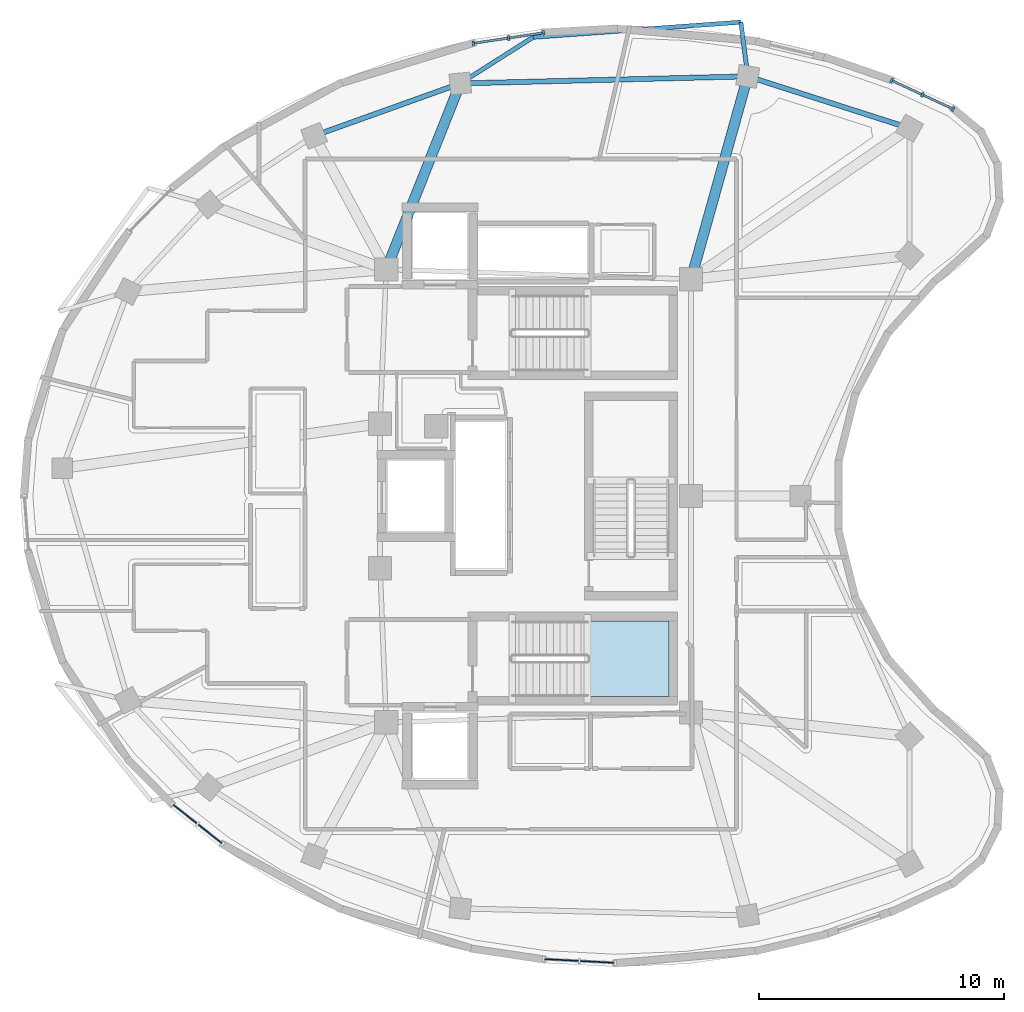
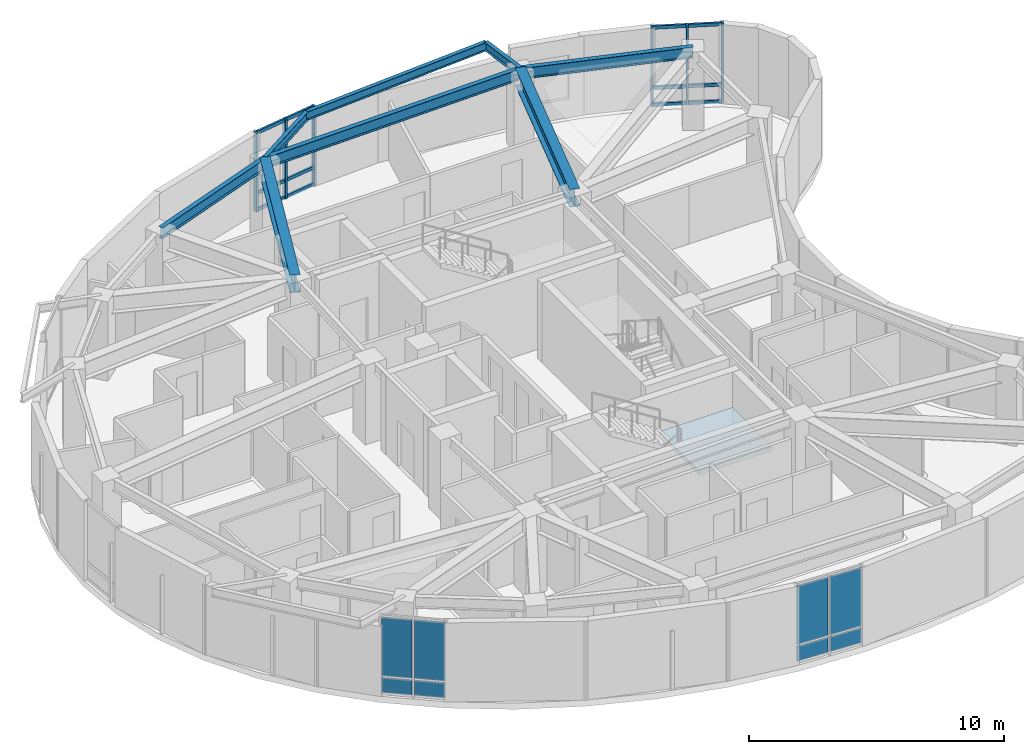
# One storey, part 4 of 12: 18 members, 8 beams, 8 plates, 1 slab, 5 elements without a shape of their own.
"""IFC4 building model written with IfcOpenShell, lengths in metres."""

from ifc_helpers import new_model, si_unit, direction, frame, origin, origin_2d, place, context, subcontext, project, spatial, polyline, rectangle, i_section, outline, extrude, material, layer, layer_set, material_profile, profile_set, type_object, element, aggregate, save


model = new_model("IFC4")

# Units and contexts
model_context = context("Model", 3, precision=1e-05, world=origin(), true_north=direction((0.0, 1.0)))
body_context = subcontext(model_context, "Body", "Model", "MODEL_VIEW")
ifc_project = project(units=[si_unit("LENGTHUNIT", "METRE"), si_unit("AREAUNIT", "SQUARE_METRE"), si_unit("VOLUMEUNIT", "CUBIC_METRE"), si_unit("PLANEANGLEUNIT", "RADIAN"), si_unit("MASSUNIT", "GRAM", prefix="KILO")], contexts=[model_context])

# Site, building, storey
site_placement = place(None, origin())
site = spatial("IfcSite", under=ifc_project, at=site_placement, CompositionType="ELEMENT")
building_placement = place(site_placement, origin())
building = spatial("IfcBuilding", under=site, at=building_placement, Name="Korentha Bioscience Tower", CompositionType="ELEMENT")
storey_placement = place(building_placement, frame((0.0, 0.0, 282.60009765625)))
storey = spatial("IfcBuildingStorey", under=building, at=storey_placement, Name="L65", CompositionType="ELEMENT", Elevation=282.60009765625)

# Curtain wall, members
ifc_material_1 = material(Name="Thermally Broken Aluminium Frame", Category="aluminium")
ifc_layer_1 = layer(ifc_material_1, 0.219970703125, Name="Thermally Broken Aluminium Frame")
ifc_layer_set_1 = layer_set([ifc_layer_1], Name="Thermally Broken Aluminium Frame (CW-T1)")
curtain_wall_type = type_object("IfcCurtainWallType", Name="Standard Bioscience Lab Unitised Curtain Wall CW-T1", PredefinedType="USERDEFINED", material=ifc_layer_set_1)
curtain_wall_1_placement = place(storey_placement, origin())
curtain_wall_1 = element("IfcCurtainWall", 1, at=curtain_wall_1_placement, inside=storey, type_object=curtain_wall_type, Name="L65 Curtain Wall 01", ObjectType="UNITISED", PredefinedType="USERDEFINED")
ifc_material_2 = material(Name="Anodised Aluminium 6063-T6", Category="aluminium")
ifc_material_profile_1 = material_profile(ifc_material_2, rectangle(XDim=0.090087890625, YDim=0.199951171875, at=origin_2d()), Name="Anodised Aluminium 6063-T6")
ifc_profile_set_1 = profile_set([ifc_material_profile_1], Name="Anodised Aluminium 6063-T6 (CW-MUL)")
member_type_1 = type_object("IfcMemberType", Name="Mullion RECT 90x200", PredefinedType="MULLION", material=ifc_profile_set_1)
member_1_placement = place(storey_placement, frame((48.2646484375, 42.802490234375, 0.0), z_axis=(0.0, 0.0, 1.0), x_axis=(-0.907204022278, 0.420690934016, 0.0)))
member_1 = element("IfcMember", 2, at=member_1_placement, type_object=member_type_1, Name="CW-L65-01 Mullion 1", PredefinedType="MULLION", context=body_context, shape_type="SweptSolid", body=[
    extrude(rectangle(XDim=0.090087890625, YDim=0.199951171875, at=origin_2d()), origin(), (0.0, 0.0, 1.0), 3.789794921875),
])
member_2_placement = place(storey_placement, frame((47.002197265625, 43.387939453125, 0.0), z_axis=(0.0, 0.0, 1.0), x_axis=(-0.907204022278, 0.420690934016, 0.0)))
member_2 = element("IfcMember", 3, at=member_2_placement, type_object=member_type_1, Name="CW-L65-01 Mullion 2", PredefinedType="MULLION", context=body_context, shape_type="SweptSolid", body=[
    extrude(rectangle(XDim=0.090087890625, YDim=0.199951171875, at=origin_2d()), origin(), (0.0, 0.0, 1.0), 3.789794921875),
])
member_3_placement = place(storey_placement, frame((45.739990234375, 43.973388671875, 0.0), z_axis=(0.0, 0.0, 1.0), x_axis=(-0.907204022278, 0.420690934016, 0.0)))
member_3 = element("IfcMember", 4, at=member_3_placement, type_object=member_type_1, Name="CW-L65-01 Mullion 3", PredefinedType="MULLION", context=body_context, shape_type="SweptSolid", body=[
    extrude(rectangle(XDim=0.090087890625, YDim=0.199951171875, at=origin_2d()), origin(), (0.0, 0.0, 1.0), 3.789794921875),
])

curtain_wall_2_placement = place(storey_placement, origin())
curtain_wall_2 = element("IfcCurtainWall", 5, at=curtain_wall_2_placement, inside=storey, type_object=curtain_wall_type, Name="L65 Curtain Wall 07", ObjectType="UNITISED", PredefinedType="USERDEFINED")
member_4_placement = place(storey_placement, frame((31.537353515625, 45.917724609375, 0.0), z_axis=(0.0, 0.0, 1.0), x_axis=(-0.98900659611, -0.147871406471, 0.0)))
member_4 = element("IfcMember", 6, at=member_4_placement, type_object=member_type_1, Name="CW-L65-07 Mullion 1", PredefinedType="MULLION", context=body_context, shape_type="SweptSolid", body=[
    extrude(rectangle(XDim=0.090087890625, YDim=0.199951171875, at=origin_2d()), origin(), (0.0, 0.0, 1.0), 3.789794921875),
])
member_5_placement = place(storey_placement, frame((30.09716796875, 45.702392578125, 0.0), z_axis=(0.0, 0.0, 1.0), x_axis=(-0.98900659611, -0.147871406471, 0.0)))
member_5 = element("IfcMember", 7, at=member_5_placement, type_object=member_type_1, Name="CW-L65-07 Mullion 2", PredefinedType="MULLION", context=body_context, shape_type="SweptSolid", body=[
    extrude(rectangle(XDim=0.090087890625, YDim=0.199951171875, at=origin_2d()), origin(), (0.0, 0.0, 1.0), 3.789794921875),
])
member_6_placement = place(storey_placement, frame((28.65673828125, 45.487060546875, 0.0), z_axis=(0.0, 0.0, 1.0), x_axis=(-0.98900659611, -0.147871406471, 0.0)))
member_6 = element("IfcMember", 8, at=member_6_placement, type_object=member_type_1, Name="CW-L65-07 Mullion 3", PredefinedType="MULLION", context=body_context, shape_type="SweptSolid", body=[
    extrude(rectangle(XDim=0.090087890625, YDim=0.199951171875, at=origin_2d()), origin(), (0.0, 0.0, 1.0), 3.789794921875),
])

# Beams
ifc_material_3 = material(Name="Steel S355", Category="steel")
ifc_material_profile_2 = material_profile(ifc_material_3, i_section(OverallWidth=0.208984375, OverallDepth=0.532958984375, WebThickness=0.01025390625, FlangeThickness=0.015625, at=origin_2d()), Name="Steel S355")
ifc_profile_set_2 = profile_set([ifc_material_profile_2], Name="Steel S355 (SB-530)")
beam_type_1 = type_object("IfcBeamType", Name="Perimeter Ring Spandrel Girder W530x92", PredefinedType="SPANDREL", material=ifc_profile_set_2)
beam_1_placement = place(storey_placement, frame((46.476318359375, 42.022705078125, 3.5234375), z_axis=(-0.952374693577, 0.304930226503, 0.0), x_axis=(-0.304930226503, -0.952374693577, 0.0)))
element("IfcBeam", 9, at=beam_1_placement, inside=storey, type_object=beam_type_1, Name="L65 Perimeter Spandrel Girder 01", PredefinedType="SPANDREL", context=body_context, shape_type="SweptSolid", body=[
    extrude(i_section(OverallWidth=0.208984375, OverallDepth=0.532958984375, WebThickness=0.01025390625, FlangeThickness=0.015625, at=origin_2d()), origin(), (0.0, 0.0, 1.0), 6.9375),
])
beam_2_placement = place(storey_placement, frame((39.869140625, 44.13818359375, 3.5234375), z_axis=(-0.999696680128, -0.024628189974, 0.0), x_axis=(0.024628189974, -0.999696680128, 0.0)))
element("IfcBeam", 10, at=beam_2_placement, inside=storey, type_object=beam_type_1, Name="L65 Perimeter Spandrel Girder 02", PredefinedType="SPANDREL", context=body_context, shape_type="SweptSolid", body=[
    extrude(i_section(OverallWidth=0.208984375, OverallDepth=0.532958984375, WebThickness=0.01025390625, FlangeThickness=0.015625, at=origin_2d()), origin(), (0.0, 0.0, 1.0), 11.7470703125),
])
beam_3_placement = place(storey_placement, frame((28.125732421875, 43.848876953125, 3.5234375), z_axis=(-0.941344019681, -0.337448420668, 0.0), x_axis=(0.337448420668, -0.941344019681, 0.0)))
element("IfcBeam", 11, at=beam_3_placement, inside=storey, type_object=beam_type_1, Name="L65 Perimeter Spandrel Girder 03", PredefinedType="SPANDREL", context=body_context, shape_type="SweptSolid", body=[
    extrude(i_section(OverallWidth=0.208984375, OverallDepth=0.532958984375, WebThickness=0.01025390625, FlangeThickness=0.015625, at=origin_2d()), origin(), (0.0, 0.0, 1.0), 6.340576171875),
])
ifc_material_profile_3 = material_profile(ifc_material_3, i_section(OverallWidth=0.419921875, OverallDepth=0.85009765625, WebThickness=0.01806640625, FlangeThickness=0.031982421875, at=origin_2d()), Name="Steel S355")
ifc_profile_set_3 = profile_set([ifc_material_profile_3], Name="Steel S355 (MB-850)")
beam_type_2 = type_object("IfcBeamType", Name="Plant Heavy Girder CVS 850x315", PredefinedType="BEAM", material=ifc_profile_set_3)
beam_4_placement = place(storey_placement, frame((37.550048828125, 35.85009765625, 3.364990234375), z_axis=(0.269460517512, 0.963011437888, 0.0), x_axis=(-0.963011437888, 0.269460517512, 0.0)))
element("IfcBeam", 12, at=beam_4_placement, inside=storey, type_object=beam_type_2, Name="L65 Radial Girder 02", PredefinedType="BEAM", context=body_context, shape_type="SweptSolid", body=[
    extrude(i_section(OverallWidth=0.419921875, OverallDepth=0.85009765625, WebThickness=0.01806640625, FlangeThickness=0.031982421875, at=origin_2d()), origin(), (0.0, 0.0, 1.0), 8.6064453125),
])
beam_5_placement = place(storey_placement, frame((25.10009765625, 36.25, 3.364990234375), z_axis=(0.369923475736, 0.929062227248, 0.0), x_axis=(-0.929062227248, 0.369923475736, 0.0)))
element("IfcBeam", 13, at=beam_5_placement, inside=storey, type_object=beam_type_2, Name="L65 Radial Girder 03", PredefinedType="BEAM", context=body_context, shape_type="SweptSolid", body=[
    extrude(i_section(OverallWidth=0.419921875, OverallDepth=0.85009765625, WebThickness=0.01806640625, FlangeThickness=0.031982421875, at=origin_2d()), origin(), (0.0, 0.0, 1.0), 8.17919921875),
])
ifc_material_profile_4 = material_profile(ifc_material_3, i_section(OverallWidth=0.177978515625, OverallDepth=0.406982421875, WebThickness=0.0078125, FlangeThickness=0.0126953125, at=origin_2d()), Name="Steel S355")
ifc_profile_set_4 = profile_set([ifc_material_profile_4], Name="Steel S355 (CB-410)")
beam_type_3 = type_object("IfcBeamType", Name="Sun-Ledge Cantilever Beam W410x60", PredefinedType="BEAM", material=ifc_profile_set_4)
beam_6_placement = place(storey_placement, frame((39.869140625, 44.13818359375, 3.58837890625), z_axis=(-0.125825547699, 0.992052383469, 0.0), x_axis=(-0.992052383469, -0.125825547699, 0.0)))
element("IfcBeam", 14, at=beam_6_placement, inside=storey, type_object=beam_type_3, Name="L65 Balcony Cantilever Bracket A-L66-01", PredefinedType="BEAM", context=body_context, shape_type="SweptSolid", body=[
    extrude(i_section(OverallWidth=0.177978515625, OverallDepth=0.406982421875, WebThickness=0.0078125, FlangeThickness=0.0126953125, at=origin_2d()), origin(), (0.0, 0.0, 1.0), 2.2314453125),
])
beam_7_placement = place(storey_placement, frame((28.125732421875, 43.848876953125, 3.58837890625), z_axis=(0.844240709946, 0.535964199989, 0.0), x_axis=(-0.535964199989, 0.844240709946, 0.0)))
element("IfcBeam", 15, at=beam_7_placement, inside=storey, type_object=beam_type_3, Name="L65 Balcony Cantilever Bracket B-L66-01", PredefinedType="BEAM", context=body_context, shape_type="SweptSolid", body=[
    extrude(i_section(OverallWidth=0.177978515625, OverallDepth=0.406982421875, WebThickness=0.0078125, FlangeThickness=0.0126953125, at=origin_2d()), origin(), (0.0, 0.0, 1.0), 3.520263671875),
])
beam_8_placement = place(storey_placement, frame((39.58837890625, 46.351806640625, 3.58837890625), z_axis=(-0.997376820373, -0.072384239882, 0.0), x_axis=(0.072384239882, -0.997376820373, 0.0)))
element("IfcBeam", 16, at=beam_8_placement, inside=storey, type_object=beam_type_3, Name="L65 Balcony Edge Trimmer Beam L66-01", PredefinedType="BEAM", context=body_context, shape_type="SweptSolid", body=[
    extrude(i_section(OverallWidth=0.177978515625, OverallDepth=0.406982421875, WebThickness=0.0078125, FlangeThickness=0.0126953125, at=origin_2d()), origin(), (0.0, 0.0, 1.0), 8.512939453125),
])

# Member
ifc_material_profile_5 = material_profile(ifc_material_2, rectangle(XDim=0.090087890625, YDim=0.159912109375, at=origin_2d()), Name="Anodised Aluminium 6063-T6")
ifc_profile_set_5 = profile_set([ifc_material_profile_5], Name="Anodised Aluminium 6063-T6 (CW-TRN)")
member_type_2 = type_object("IfcMemberType", Name="Transom RECT 90x160", PredefinedType="USERDEFINED", material=ifc_profile_set_5)
member_7_placement = place(storey_placement, frame((48.223876953125, 42.821533203125, 0.044921875), z_axis=(-0.907172669062, 0.420758539435, 0.0), x_axis=(-0.420758539435, -0.907172669062, 0.0)))
member_7 = element("IfcMember", 17, at=member_7_placement, type_object=member_type_2, Name="CW-L65-01 Bay 1 Transom 1", ObjectType="TRANSOM", PredefinedType="USERDEFINED", context=body_context, shape_type="SweptSolid", body=[
    extrude(rectangle(XDim=0.090087890625, YDim=0.159912109375, at=origin_2d()), origin(), (0.0, 0.0, 1.0), 1.301513671875),
])

member_8_placement = place(storey_placement, frame((48.223876953125, 42.821533203125, 0.849853515625), z_axis=(-0.907172669062, 0.420758539435, 0.0), x_axis=(-0.420758539435, -0.907172669062, 0.0)))
member_8 = element("IfcMember", 18, at=member_8_placement, type_object=member_type_2, Name="CW-L65-01 Bay 1 Transom 2", ObjectType="TRANSOM", PredefinedType="USERDEFINED", context=body_context, shape_type="SweptSolid", body=[
    extrude(rectangle(XDim=0.090087890625, YDim=0.159912109375, at=origin_2d()), origin(), (0.0, 0.0, 1.0), 1.301513671875),
])

member_9_placement = place(storey_placement, frame((48.223876953125, 42.821533203125, 3.744873046875), z_axis=(-0.907172669062, 0.420758539435, 0.0), x_axis=(-0.420758539435, -0.907172669062, 0.0)))
member_9 = element("IfcMember", 19, at=member_9_placement, type_object=member_type_2, Name="CW-L65-01 Bay 1 Transom 3", ObjectType="TRANSOM", PredefinedType="USERDEFINED", context=body_context, shape_type="SweptSolid", body=[
    extrude(rectangle(XDim=0.090087890625, YDim=0.159912109375, at=origin_2d()), origin(), (0.0, 0.0, 1.0), 1.301513671875),
])

member_10_placement = place(storey_placement, frame((46.96142578125, 43.406982421875, 0.044921875), z_axis=(-0.907244263807, 0.420604143808, 0.0), x_axis=(-0.420604143808, -0.907244263807, 0.0)))
member_10 = element("IfcMember", 20, at=member_10_placement, type_object=member_type_2, Name="CW-L65-01 Bay 2 Transom 1", ObjectType="TRANSOM", PredefinedType="USERDEFINED", context=body_context, shape_type="SweptSolid", body=[
    extrude(rectangle(XDim=0.090087890625, YDim=0.159912109375, at=origin_2d()), origin(), (0.0, 0.0, 1.0), 1.30126953125),
])

member_11_placement = place(storey_placement, frame((46.96142578125, 43.406982421875, 0.849853515625), z_axis=(-0.907244263807, 0.420604143808, 0.0), x_axis=(-0.420604143808, -0.907244263807, 0.0)))
member_11 = element("IfcMember", 21, at=member_11_placement, type_object=member_type_2, Name="CW-L65-01 Bay 2 Transom 2", ObjectType="TRANSOM", PredefinedType="USERDEFINED", context=body_context, shape_type="SweptSolid", body=[
    extrude(rectangle(XDim=0.090087890625, YDim=0.159912109375, at=origin_2d()), origin(), (0.0, 0.0, 1.0), 1.30126953125),
])

member_12_placement = place(storey_placement, frame((46.96142578125, 43.406982421875, 3.744873046875), z_axis=(-0.907244263807, 0.420604143808, 0.0), x_axis=(-0.420604143808, -0.907244263807, 0.0)))
member_12 = element("IfcMember", 22, at=member_12_placement, type_object=member_type_2, Name="CW-L65-01 Bay 2 Transom 3", ObjectType="TRANSOM", PredefinedType="USERDEFINED", context=body_context, shape_type="SweptSolid", body=[
    extrude(rectangle(XDim=0.090087890625, YDim=0.159912109375, at=origin_2d()), origin(), (0.0, 0.0, 1.0), 1.30126953125),
])

aggregate(curtain_wall_1, [member_1, member_2, member_3, member_7, member_8, member_9, member_10, member_11, member_12])

member_13_placement = place(storey_placement, frame((31.492919921875, 45.9111328125, 0.044921875), z_axis=(-0.988995252299, -0.147947257255, 0.0), x_axis=(0.147947257255, -0.988995252299, 0.0)))
member_13 = element("IfcMember", 23, at=member_13_placement, type_object=member_type_2, Name="CW-L65-07 Bay 1 Transom 1", ObjectType="TRANSOM", PredefinedType="USERDEFINED", context=body_context, shape_type="SweptSolid", body=[
    extrude(rectangle(XDim=0.090087890625, YDim=0.159912109375, at=origin_2d()), origin(), (0.0, 0.0, 1.0), 1.366455078125),
])

member_14_placement = place(storey_placement, frame((31.492919921875, 45.9111328125, 0.849853515625), z_axis=(-0.988995252299, -0.147947257255, 0.0), x_axis=(0.147947257255, -0.988995252299, 0.0)))
member_14 = element("IfcMember", 24, at=member_14_placement, type_object=member_type_2, Name="CW-L65-07 Bay 1 Transom 2", ObjectType="TRANSOM", PredefinedType="USERDEFINED", context=body_context, shape_type="SweptSolid", body=[
    extrude(rectangle(XDim=0.090087890625, YDim=0.159912109375, at=origin_2d()), origin(), (0.0, 0.0, 1.0), 1.366455078125),
])

member_15_placement = place(storey_placement, frame((31.492919921875, 45.9111328125, 3.744873046875), z_axis=(-0.988995252299, -0.147947257255, 0.0), x_axis=(0.147947257255, -0.988995252299, 0.0)))
member_15 = element("IfcMember", 25, at=member_15_placement, type_object=member_type_2, Name="CW-L65-07 Bay 1 Transom 3", ObjectType="TRANSOM", PredefinedType="USERDEFINED", context=body_context, shape_type="SweptSolid", body=[
    extrude(rectangle(XDim=0.090087890625, YDim=0.159912109375, at=origin_2d()), origin(), (0.0, 0.0, 1.0), 1.366455078125),
])

member_16_placement = place(storey_placement, frame((30.052490234375, 45.69580078125, 0.044921875), z_axis=(-0.988991340239, -0.147973406165, 0.0), x_axis=(0.147973406165, -0.988991340239, 0.0)))
member_16 = element("IfcMember", 26, at=member_16_placement, type_object=member_type_2, Name="CW-L65-07 Bay 2 Transom 1", ObjectType="TRANSOM", PredefinedType="USERDEFINED", context=body_context, shape_type="SweptSolid", body=[
    extrude(rectangle(XDim=0.090087890625, YDim=0.159912109375, at=origin_2d()), origin(), (0.0, 0.0, 1.0), 1.3662109375),
])

member_17_placement = place(storey_placement, frame((30.052490234375, 45.69580078125, 0.849853515625), z_axis=(-0.988991340239, -0.147973406165, 0.0), x_axis=(0.147973406165, -0.988991340239, 0.0)))
member_17 = element("IfcMember", 27, at=member_17_placement, type_object=member_type_2, Name="CW-L65-07 Bay 2 Transom 2", ObjectType="TRANSOM", PredefinedType="USERDEFINED", context=body_context, shape_type="SweptSolid", body=[
    extrude(rectangle(XDim=0.090087890625, YDim=0.159912109375, at=origin_2d()), origin(), (0.0, 0.0, 1.0), 1.3662109375),
])

member_18_placement = place(storey_placement, frame((30.052490234375, 45.69580078125, 3.744873046875), z_axis=(-0.988991340239, -0.147973406165, 0.0), x_axis=(0.147973406165, -0.988991340239, 0.0)))
member_18 = element("IfcMember", 28, at=member_18_placement, type_object=member_type_2, Name="CW-L65-07 Bay 2 Transom 3", ObjectType="TRANSOM", PredefinedType="USERDEFINED", context=body_context, shape_type="SweptSolid", body=[
    extrude(rectangle(XDim=0.090087890625, YDim=0.159912109375, at=origin_2d()), origin(), (0.0, 0.0, 1.0), 1.3662109375),
])

aggregate(curtain_wall_2, [member_4, member_5, member_6, member_13, member_14, member_15, member_16, member_17, member_18])

# Curtain wall, plates
curtain_wall_3_placement = place(storey_placement, origin())
curtain_wall_3 = element("IfcCurtainWall", 29, at=curtain_wall_3_placement, inside=storey, type_object=curtain_wall_type, Name="L65 Curtain Wall 25", ObjectType="UNITISED", PredefinedType="USERDEFINED")
ifc_material_4 = material(Name="Triple-Glazed Low-E Insulated Glass", Category="glass")
ifc_layer_2 = layer(ifc_material_4, 0.0439453125, Name="Triple-Glazed Low-E Insulated Glass")
ifc_layer_set_2 = layer_set([ifc_layer_2], Name="Triple-Glazed Low-E Insulated Glass (GL-44)")
plate_type = type_object("IfcPlateType", Name="Glazed Panel 44mm", PredefinedType="CURTAIN_PANEL", material=ifc_layer_set_2)
plate_1_placement = place(storey_placement, frame((16.877197265625, 14.0107421875, 0.08984375), z_axis=(0.0, 0.0, 1.0), x_axis=(0.78407560827, -0.620665320858, 0.0)))
plate_1 = element("IfcPlate", 30, at=plate_1_placement, type_object=plate_type, Name="CW-L65-25 Bay 1 Glazed Panel 1", PredefinedType="CURTAIN_PANEL", context=body_context, shape_type="SweptSolid", body=[
    extrude(rectangle(XDim=1.2265625, YDim=0.0439453125, at=origin_2d()), origin(), (0.0, 0.0, 1.0), 0.715087890625),
])
plate_2_placement = place(storey_placement, frame((16.877197265625, 14.0107421875, 0.89501953125), z_axis=(0.0, 0.0, 1.0), x_axis=(0.78407560827, -0.620665320858, 0.0)))
plate_2 = element("IfcPlate", 31, at=plate_2_placement, type_object=plate_type, Name="CW-L65-25 Bay 1 Glazed Panel 2", PredefinedType="CURTAIN_PANEL", context=body_context, shape_type="SweptSolid", body=[
    extrude(rectangle(XDim=1.2265625, YDim=0.0439453125, at=origin_2d()), origin(), (0.0, 0.0, 1.0), 2.804931640625),
])
plate_3_placement = place(storey_placement, frame((17.90966796875, 13.193603515625, 0.08984375), z_axis=(0.0, 0.0, 1.0), x_axis=(0.78407560827, -0.620665320858, 0.0)))
plate_3 = element("IfcPlate", 32, at=plate_3_placement, type_object=plate_type, Name="CW-L65-25 Bay 2 Glazed Panel 1", PredefinedType="CURTAIN_PANEL", context=body_context, shape_type="SweptSolid", body=[
    extrude(rectangle(XDim=1.2265625, YDim=0.0439453125, at=origin_2d()), origin(), (0.0, 0.0, 1.0), 0.715087890625),
])
plate_4_placement = place(storey_placement, frame((17.90966796875, 13.193603515625, 0.89501953125), z_axis=(0.0, 0.0, 1.0), x_axis=(0.78407560827, -0.620665320858, 0.0)))
plate_4 = element("IfcPlate", 33, at=plate_4_placement, type_object=plate_type, Name="CW-L65-25 Bay 2 Glazed Panel 2", PredefinedType="CURTAIN_PANEL", context=body_context, shape_type="SweptSolid", body=[
    extrude(rectangle(XDim=1.2265625, YDim=0.0439453125, at=origin_2d()), origin(), (0.0, 0.0, 1.0), 2.804931640625),
])
aggregate(curtain_wall_3, [plate_1, plate_2, plate_3, plate_4])

curtain_wall_4_placement = place(storey_placement, origin())
curtain_wall_4 = element("IfcCurtainWall", 34, at=curtain_wall_4_placement, inside=storey, type_object=curtain_wall_type, Name="L65 Curtain Wall 31", ObjectType="UNITISED", PredefinedType="USERDEFINED")
plate_5_placement = place(storey_placement, frame((32.263427734375, 8.043701171875, 0.08984375), z_axis=(0.0, 0.0, 1.0), x_axis=(0.998579324855, -0.053285382345, 0.0)))
plate_5 = element("IfcPlate", 35, at=plate_5_placement, type_object=plate_type, Name="CW-L65-31 Bay 1 Glazed Panel 1", PredefinedType="CURTAIN_PANEL", context=body_context, shape_type="SweptSolid", body=[
    extrude(rectangle(XDim=1.374755859375, YDim=0.0439453125, at=origin_2d()), origin(), (0.0, 0.0, 1.0), 0.715087890625),
])
plate_6_placement = place(storey_placement, frame((32.263427734375, 8.043701171875, 0.89501953125), z_axis=(0.0, 0.0, 1.0), x_axis=(0.998579324855, -0.053285382345, 0.0)))
plate_6 = element("IfcPlate", 36, at=plate_6_placement, type_object=plate_type, Name="CW-L65-31 Bay 1 Glazed Panel 2", PredefinedType="CURTAIN_PANEL", context=body_context, shape_type="SweptSolid", body=[
    extrude(rectangle(XDim=1.374755859375, YDim=0.0439453125, at=origin_2d()), origin(), (0.0, 0.0, 1.0), 2.804931640625),
])
plate_7_placement = place(storey_placement, frame((33.726318359375, 7.9658203125, 0.08984375), z_axis=(0.0, 0.0, 1.0), x_axis=(0.998579324855, -0.053285382345, 0.0)))
plate_7 = element("IfcPlate", 37, at=plate_7_placement, type_object=plate_type, Name="CW-L65-31 Bay 2 Glazed Panel 1", PredefinedType="CURTAIN_PANEL", context=body_context, shape_type="SweptSolid", body=[
    extrude(rectangle(XDim=1.374755859375, YDim=0.0439453125, at=origin_2d()), origin(), (0.0, 0.0, 1.0), 0.715087890625),
])
plate_8_placement = place(storey_placement, frame((33.726318359375, 7.9658203125, 0.89501953125), z_axis=(0.0, 0.0, 1.0), x_axis=(0.998579324855, -0.053285382345, 0.0)))
plate_8 = element("IfcPlate", 38, at=plate_8_placement, type_object=plate_type, Name="CW-L65-31 Bay 2 Glazed Panel 2", PredefinedType="CURTAIN_PANEL", context=body_context, shape_type="SweptSolid", body=[
    extrude(rectangle(XDim=1.374755859375, YDim=0.0439453125, at=origin_2d()), origin(), (0.0, 0.0, 1.0), 2.804931640625),
])
aggregate(curtain_wall_4, [plate_5, plate_6, plate_7, plate_8])

# Stair, slab
ifc_material_5 = material(Name="Precast Concrete C50", Category="concrete")
stair_type = type_object("IfcStairType", Name="Core Exit Dog-Leg Stair 1450", PredefinedType="HALF_TURN_STAIR", material=ifc_material_5)
stair_placement = place(storey_placement, origin())
stair = element("IfcStair", 39, at=stair_placement, inside=storey, type_object=stair_type, Name="L65 Tower South Pressurized Exit Stair ST-2", PredefinedType="HALF_TURN_STAIR")
ifc_material_6 = material(Name="Concrete C50", Category="concrete")
ifc_layer_3 = layer(ifc_material_6, 0.199951171875, Name="Concrete C50")
ifc_layer_set_3 = layer_set([ifc_layer_3], Name="Concrete C50 (SL-LND)")
slab_type = type_object("IfcSlabType", Name="Landing Slab 200", PredefinedType="LANDING", material=ifc_layer_set_3)
slab_placement = place(storey_placement, frame((0.0, 0.0, 1.89990234375)))
slab = element("IfcSlab", 40, at=slab_placement, type_object=slab_type, Name="ST-2 landing 1", PredefinedType="LANDING", context=body_context, shape_type="SweptSolid", body=[
    extrude(outline(polyline([(33.330078125, 18.800048828125), (36.64990234375, 18.800048828125), (36.64990234375, 21.89990234375), (33.330078125, 21.89990234375), (33.330078125, 18.800048828125)])), origin(), (0.0, 0.0, 1.0), 0.199951171875),
])
aggregate(stair, [slab])

save(model, "model.ifc")
